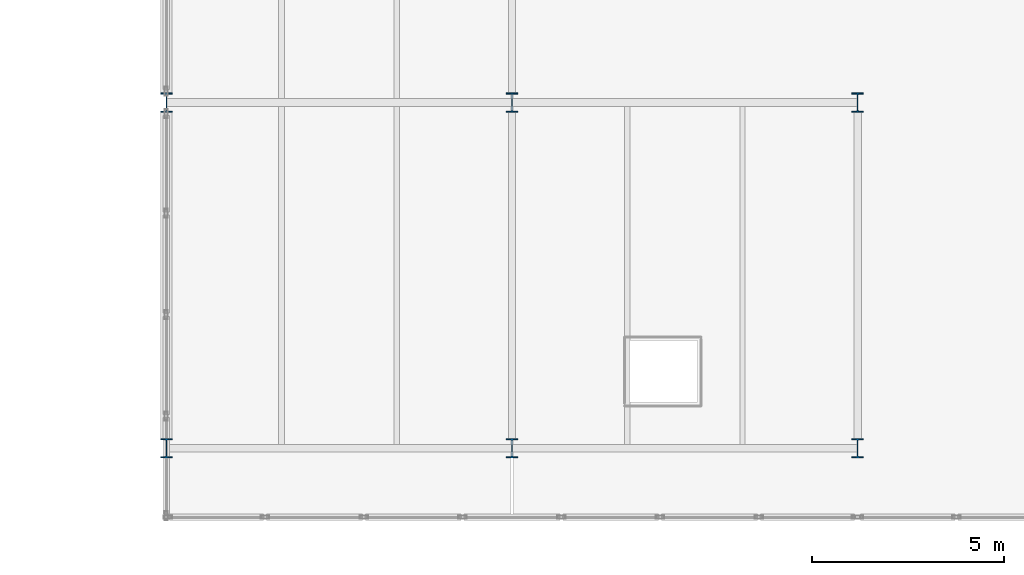
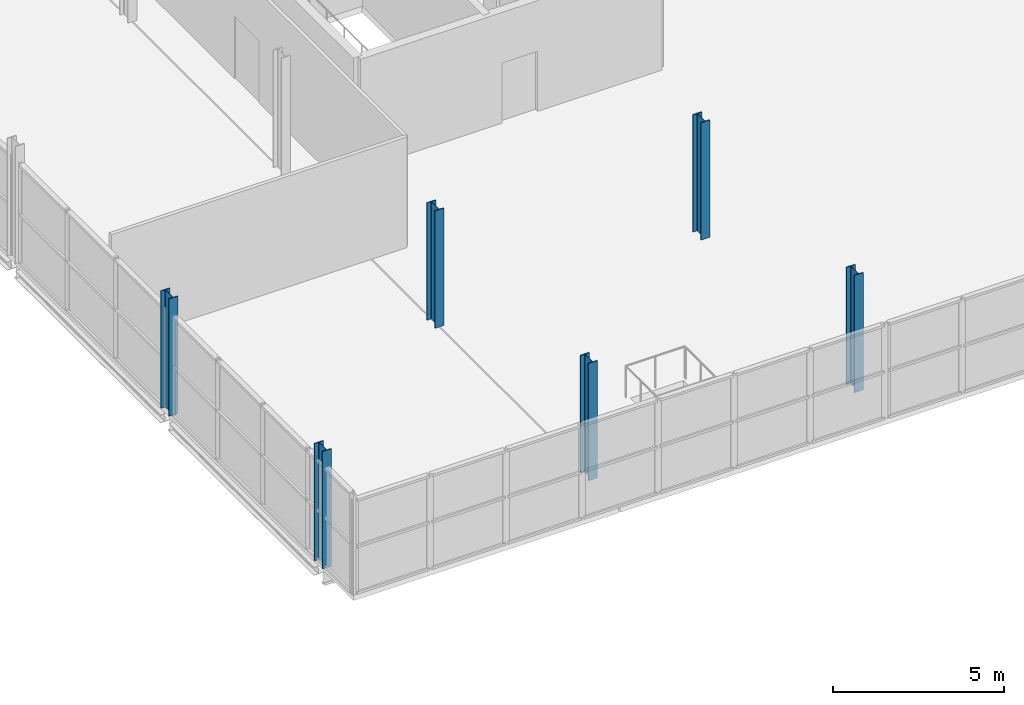
# One storey, part 1 of 59: 6 columns.
"""IFC4 building model written with IfcOpenShell, lengths in metres."""

from ifc_helpers import new_model, si_unit, direction, frame, origin, origin_2d, place, context, subcontext, project, spatial, i_section, extrude, material, material_profile, profile_set, type_object, element, save


model = new_model("IFC4")

# Units and contexts
model_context = context("Model", 3, precision=1e-05, world=origin(), true_north=direction((0.0, 1.0)))
body_context = subcontext(model_context, "Body", "Model", "MODEL_VIEW")
ifc_project = project(units=[si_unit("LENGTHUNIT", "METRE"), si_unit("AREAUNIT", "SQUARE_METRE"), si_unit("VOLUMEUNIT", "CUBIC_METRE"), si_unit("PLANEANGLEUNIT", "RADIAN"), si_unit("MASSUNIT", "GRAM", prefix="KILO")], contexts=[model_context])

# Site, building, storey
site_placement = place(None, origin())
site = spatial("IfcSite", under=ifc_project, at=site_placement, CompositionType="ELEMENT")
building_placement = place(site_placement, origin())
building = spatial("IfcBuilding", under=site, at=building_placement, Name="Deido Ridge Mobility Hub", CompositionType="ELEMENT")
storey_placement = place(building_placement, frame((0.0, 0.0, 21.0)))
storey = spatial("IfcBuildingStorey", under=building, at=storey_placement, Name="L05", CompositionType="ELEMENT", Elevation=21.0)

# Columns
ifc_material = material(Name="Steel S355J2 EN 10025-2", Category="steel")
ifc_material_profile = material_profile(ifc_material, i_section(OverallWidth=0.300048828125, OverallDepth=0.5, WebThickness=0.014404296875, FlangeThickness=0.028076171875, FilletRadius=0.027099609375, at=origin_2d()), Name="HEB 500")
ifc_profile_set = profile_set([ifc_material_profile], Name="Steel S355J2 EN 10025-2")
column_type = type_object("IfcColumnType", Name="COL-HEB500", PredefinedType="COLUMN", material=ifc_profile_set)
for number, where, z_axis, x_axis, name in (
    (1, (72.0, 45.0, 0.0), (0.0, 0.0, 1.0), (1.0, 0.0, 0.0), "Structural column C5"),
    (2, (72.0, 54.0, 0.0), (0.0, 0.0, 1.0), (1.0, 0.0, 0.0), "Structural column C5"),
    (3, (81.0, 45.0, 0.0), (0.0, 0.0, 1.0), (1.0, 0.0, 0.0), "Structural column C5"),
    (4, (81.0, 54.0, 0.0), (0.0, 0.0, 1.0), (1.0, 0.0, 0.0), "Structural column C5"),
    (5, (63.0, 54.0, 0.0), (0.0, 0.0, 1.0), (1.0, 0.0, 0.0), "Structural column C5"),
    (6, (63.0, 45.0, 0.0), (0.0, 0.0, 1.0), (1.0, 0.0, 0.0), "Structural column C5"),
):
    element("IfcColumn", number, at=place(storey_placement, frame(where, z_axis=z_axis, x_axis=x_axis)), inside=storey, type_object=column_type, Name=name, PredefinedType="COLUMN", context=body_context, shape_type="SweptSolid", body=[
        extrude(i_section(OverallWidth=0.300048828125, OverallDepth=0.5, WebThickness=0.014404296875, FlangeThickness=0.028076171875, FilletRadius=0.027099609375, at=origin_2d()), origin(), (0.0, 0.0, 1.0), 4.199951171875),
    ])

save(model, "model.ifc")
